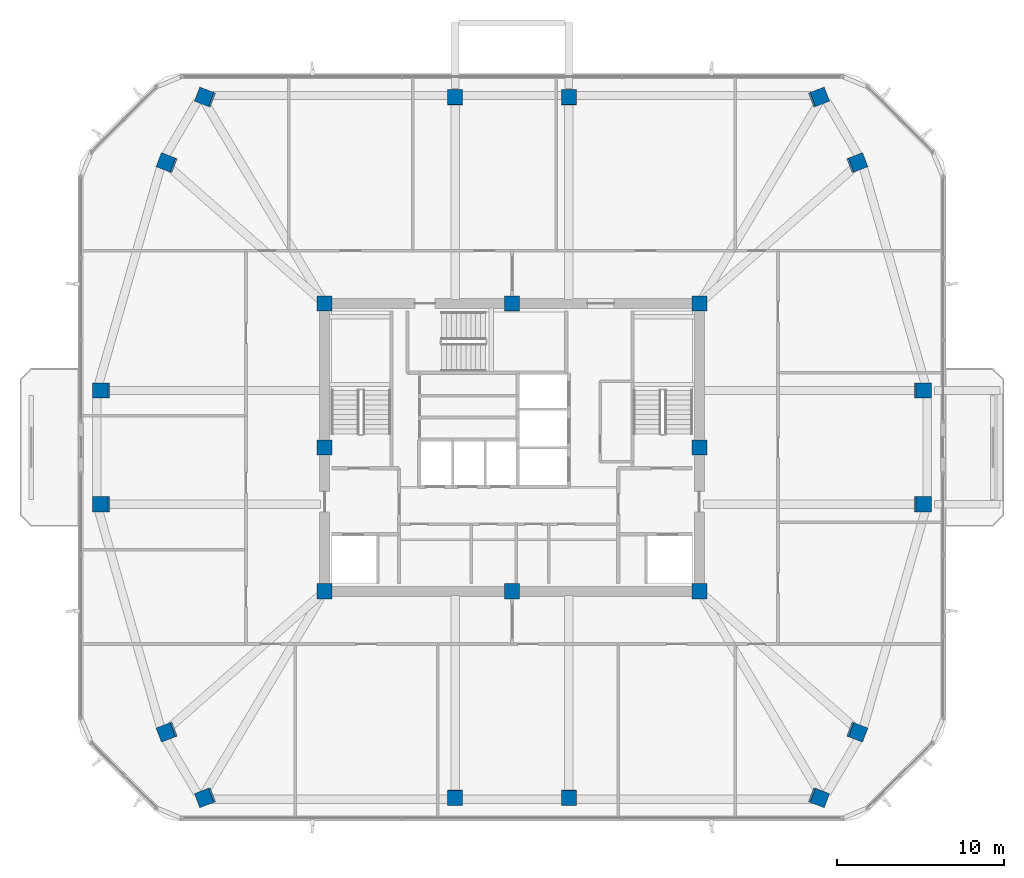
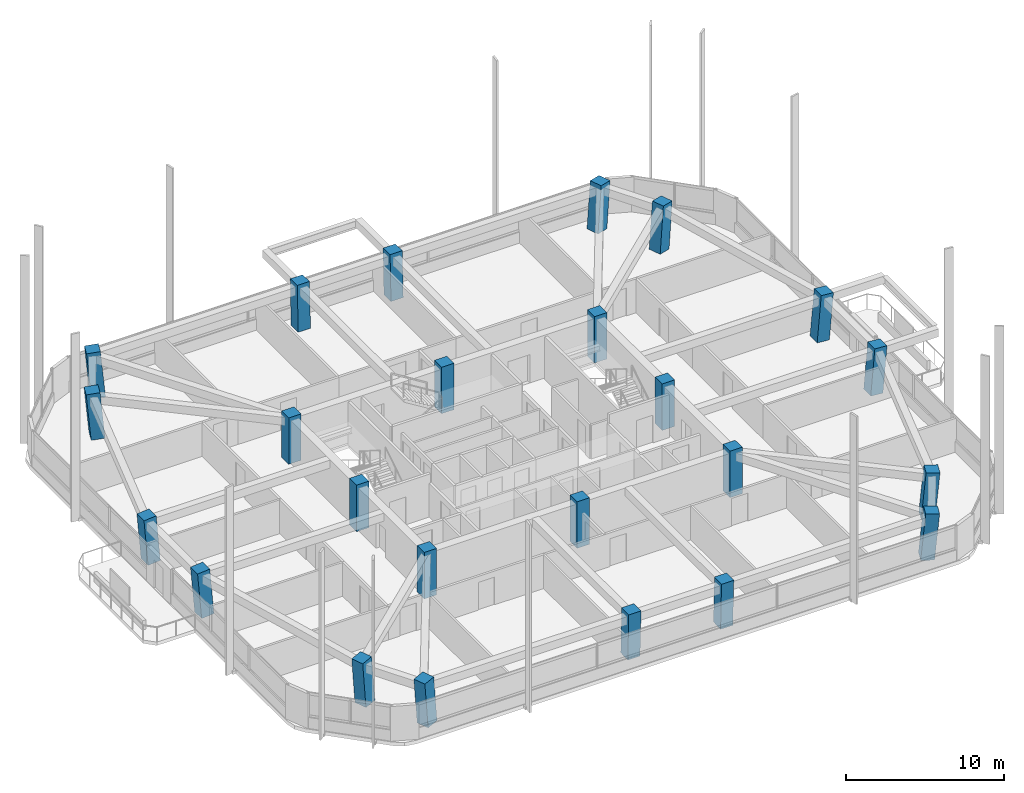
# One storey, part 1 of 17: 24 columns.
"""IFC4 building model written with IfcOpenShell, lengths in metres."""

from ifc_helpers import new_model, si_unit, derived_unit, direction, frame, origin, origin_2d, place, context, subcontext, project, spatial, rectangle, extrude, material, material_profile, profile_set, type_object, element, save


model = new_model("IFC4")

# Units and contexts
model_context = context("Model", 3, precision=1e-05, world=origin(), true_north=direction((0.0, 1.0)))
body_context = subcontext(model_context, "Body", "Model", "MODEL_VIEW")
ifc_project = project(units=[si_unit("LENGTHUNIT", "METRE"), si_unit("AREAUNIT", "SQUARE_METRE"), si_unit("VOLUMEUNIT", "CUBIC_METRE"), si_unit("PLANEANGLEUNIT", "RADIAN"), si_unit("MASSUNIT", "GRAM", prefix="KILO"), derived_unit("THERMALTRANSMITTANCEUNIT", [(si_unit("POWERUNIT", "WATT"), 1), (si_unit("LENGTHUNIT", "METRE"), -2), (si_unit("THERMODYNAMICTEMPERATUREUNIT", "KELVIN"), -1)])], contexts=[model_context])

# Site, building, storey
site_placement = place(None, origin())
site = spatial("IfcSite", under=ifc_project, at=site_placement, CompositionType="ELEMENT")
building_placement = place(site_placement, origin())
building = spatial("IfcBuilding", under=site, at=building_placement, Name="Koralith Skygarden Medical Center", CompositionType="ELEMENT")
storey_placement = place(building_placement, frame((0.0, 0.0, 207.179931640625)))
storey = spatial("IfcBuildingStorey", under=building, at=storey_placement, Name="L53", CompositionType="ELEMENT", Elevation=207.179931640625)

# Columns
ifc_material = material(Name="Concrete C55/67", Category="concrete")
ifc_material_profile_1 = material_profile(ifc_material, rectangle(XDim=0.89990234375, YDim=0.89990234375, at=origin_2d()), Name="RC900X900")
ifc_profile_set_1 = profile_set([ifc_material_profile_1], Name="Concrete C55/67")
column_type_1 = type_object("IfcColumnType", Name="Core Column C55 RC900", PredefinedType="COLUMN", material=ifc_profile_set_1)
for number, where, z_axis, x_axis, name in (
    (1, (25.800048828125, 17.300048828125, 0.0), (0.0, 0.0, 1.0), (1.0, 0.0, 0.0), "L53 Core Column CC-01"),
    (2, (37.0, 17.300048828125, 0.0), (0.0, 0.0, 1.0), (1.0, 0.0, 0.0), "L53 Core Column CC-02"),
    (3, (48.199951171875, 17.300048828125, 0.0), (0.0, 0.0, 1.0), (1.0, 0.0, 0.0), "L53 Core Column CC-03"),
    (4, (48.199951171875, 25.89990234375, 0.0), (0.0, 0.0, 1.0), (1.0, 0.0, 0.0), "L53 Core Column CC-04"),
    (5, (48.199951171875, 34.5, 0.0), (0.0, 0.0, 1.0), (1.0, 0.0, 0.0), "L53 Core Column CC-05"),
    (6, (37.0, 34.5, 0.0), (0.0, 0.0, 1.0), (1.0, 0.0, 0.0), "L53 Core Column CC-06"),
    (7, (25.800048828125, 34.5, 0.0), (0.0, 0.0, 1.0), (1.0, 0.0, 0.0), "L53 Core Column CC-07"),
    (8, (25.800048828125, 25.89990234375, 0.0), (0.0, 0.0, 1.0), (1.0, 0.0, 0.0), "L53 Core Column CC-08"),
):
    element("IfcColumn", number, at=place(storey_placement, frame(where, z_axis=z_axis, x_axis=x_axis)), inside=storey, type_object=column_type_1, Name=name, PredefinedType="COLUMN", context=body_context, shape_type="SweptSolid", body=[
        extrude(rectangle(XDim=0.89990234375, YDim=0.89990234375, at=origin_2d()), origin(), (0.0, 0.0, 1.0), 3.60009765625),
    ])
ifc_material_profile_2 = material_profile(ifc_material, rectangle(XDim=0.89990234375, YDim=0.89990234375, at=origin_2d()), Name="RC900X900")
ifc_profile_set_2 = profile_set([ifc_material_profile_2], Name="Concrete C55/67")
column_type_2 = type_object("IfcColumnType", Name="Zone 4 Flare Mega-Column C55 RC900", PredefinedType="COLUMN", material=ifc_profile_set_2)
column_1_placement = place(storey_placement, frame((12.487060546875, 22.5, 0.02099609375), z_axis=(-0.084573087246, 0.0, 0.99641727851), x_axis=(0.0, -1.0, 0.0)))
element("IfcColumn", 9, at=column_1_placement, inside=storey, type_object=column_type_2, Name="L53 Perimeter Mega-Column MC-01", PredefinedType="COLUMN", context=body_context, shape_type="SweptSolid", body=[
    extrude(rectangle(XDim=0.89990234375, YDim=0.89990234375, at=origin_2d()), origin(), (0.0, 0.0, 1.0), 3.57080078125),
])
for number, where, z_axis, x_axis, name in (
    (10, (16.407958984375, 8.903076171875, 0.02099609375), (-0.084799896141, -0.032457655654, 0.995869207378), (0.357465730512, -0.933926255927, 0.0), "L53 Perimeter Mega-Column MC-02"),
    (11, (18.698974609375, 4.98291015625, 0.02099609375), (-0.084528524595, -0.032458406776, 0.995892253389), (0.358473312771, -0.933539974522, 0.0), "L53 Perimeter Mega-Column MC-03"),
):
    element("IfcColumn", number, at=place(storey_placement, frame(where, z_axis=z_axis, x_axis=x_axis)), inside=storey, type_object=column_type_2, Name=name, PredefinedType="COLUMN", context=body_context, shape_type="SweptSolid", body=[
        extrude(rectangle(XDim=0.89990234375, YDim=0.89990234375, at=origin_2d()), origin(), (0.0, 0.0, 1.0), 3.57275390625),
    ])
for number, where, z_axis, x_axis, name in (
    (12, (33.60009765625, 4.98291015625, 0.02099609375), (0.0, -0.032574990718, 0.999469294166), (1.0, 0.0, 0.0), "L53 Perimeter Mega-Column MC-04"),
    (13, (40.39990234375, 4.98291015625, 0.02099609375), (0.0, -0.032574990718, 0.999469294166), (1.0, 0.0, 0.0), "L53 Perimeter Mega-Column MC-05"),
):
    element("IfcColumn", number, at=place(storey_placement, frame(where, z_axis=z_axis, x_axis=x_axis)), inside=storey, type_object=column_type_2, Name=name, PredefinedType="COLUMN", context=body_context, shape_type="SweptSolid", body=[
        extrude(rectangle(XDim=0.89990234375, YDim=0.89990234375, at=origin_2d()), origin(), (0.0, 0.0, 1.0), 3.56005859375),
    ])
for number, where, z_axis, x_axis, name in (
    (14, (55.301025390625, 4.98291015625, 0.02099609375), (0.084528524595, -0.032458406776, 0.995892253389), (0.358473312771, 0.933539974522, 0.0), "L53 Perimeter Mega-Column MC-06"),
    (15, (57.592041015625, 8.903076171875, 0.02099609375), (0.084799896141, -0.032457655654, 0.995869207378), (0.357465730512, 0.933926255927, 0.0), "L53 Perimeter Mega-Column MC-07"),
):
    element("IfcColumn", number, at=place(storey_placement, frame(where, z_axis=z_axis, x_axis=x_axis)), inside=storey, type_object=column_type_2, Name=name, PredefinedType="COLUMN", context=body_context, shape_type="SweptSolid", body=[
        extrude(rectangle(XDim=0.89990234375, YDim=0.89990234375, at=origin_2d()), origin(), (0.0, 0.0, 1.0), 3.57275390625),
    ])
for number, where, z_axis, x_axis, name in (
    (16, (61.512939453125, 22.5, 0.02099609375), (0.084573087246, 0.0, 0.99641727851), (0.0, 1.0, 0.0), "L53 Perimeter Mega-Column MC-08"),
    (17, (61.512939453125, 29.300048828125, 0.02099609375), (0.084573087246, 0.0, 0.99641727851), (0.0, 1.0, 0.0), "L53 Perimeter Mega-Column MC-09"),
):
    element("IfcColumn", number, at=place(storey_placement, frame(where, z_axis=z_axis, x_axis=x_axis)), inside=storey, type_object=column_type_2, Name=name, PredefinedType="COLUMN", context=body_context, shape_type="SweptSolid", body=[
        extrude(rectangle(XDim=0.89990234375, YDim=0.89990234375, at=origin_2d()), origin(), (0.0, 0.0, 1.0), 3.57080078125),
    ])
for number, where, z_axis, x_axis, name in (
    (18, (57.592041015625, 42.89697265625, 0.02099609375), (0.084799896141, 0.032457655654, 0.995869207378), (-0.357465730512, 0.933926255927, 0.0), "L53 Perimeter Mega-Column MC-10"),
    (19, (55.301025390625, 46.81689453125, 0.02099609375), (0.084528336914, 0.032526668044, 0.995890042186), (-0.359130747652, 0.933287258078, 0.0), "L53 Perimeter Mega-Column MC-11"),
):
    element("IfcColumn", number, at=place(storey_placement, frame(where, z_axis=z_axis, x_axis=x_axis)), inside=storey, type_object=column_type_2, Name=name, PredefinedType="COLUMN", context=body_context, shape_type="SweptSolid", body=[
        extrude(rectangle(XDim=0.89990234375, YDim=0.89990234375, at=origin_2d()), origin(), (0.0, 0.0, 1.0), 3.57275390625),
    ])
for number, where, z_axis, x_axis, name in (
    (20, (40.39990234375, 46.81689453125, 0.02099609375), (0.0, 0.032643496645, 0.99946705905), (-1.0, 0.0, 0.0), "L53 Perimeter Mega-Column MC-12"),
    (21, (33.60009765625, 46.81689453125, 0.02099609375), (0.0, 0.032643496645, 0.99946705905), (-1.0, 0.0, 0.0), "L53 Perimeter Mega-Column MC-13"),
):
    element("IfcColumn", number, at=place(storey_placement, frame(where, z_axis=z_axis, x_axis=x_axis)), inside=storey, type_object=column_type_2, Name=name, PredefinedType="COLUMN", context=body_context, shape_type="SweptSolid", body=[
        extrude(rectangle(XDim=0.89990234375, YDim=0.89990234375, at=origin_2d()), origin(), (0.0, 0.0, 1.0), 3.56005859375),
    ])
for number, where, z_axis, x_axis, name in (
    (22, (18.698974609375, 46.81689453125, 0.02099609375), (-0.084528336914, 0.032526668044, 0.995890042186), (-0.359130747652, -0.933287258078, 0.0), "L53 Perimeter Mega-Column MC-14"),
    (23, (16.407958984375, 42.89697265625, 0.02099609375), (-0.084799896141, 0.032457655654, 0.995869207378), (-0.357465730512, -0.933926255927, 0.0), "L53 Perimeter Mega-Column MC-15"),
):
    element("IfcColumn", number, at=place(storey_placement, frame(where, z_axis=z_axis, x_axis=x_axis)), inside=storey, type_object=column_type_2, Name=name, PredefinedType="COLUMN", context=body_context, shape_type="SweptSolid", body=[
        extrude(rectangle(XDim=0.89990234375, YDim=0.89990234375, at=origin_2d()), origin(), (0.0, 0.0, 1.0), 3.57275390625),
    ])
column_2_placement = place(storey_placement, frame((12.487060546875, 29.300048828125, 0.02099609375), z_axis=(-0.084573087246, 0.0, 0.99641727851), x_axis=(0.0, -1.0, 0.0)))
element("IfcColumn", 24, at=column_2_placement, inside=storey, type_object=column_type_2, Name="L53 Perimeter Mega-Column MC-16", PredefinedType="COLUMN", context=body_context, shape_type="SweptSolid", body=[
    extrude(rectangle(XDim=0.89990234375, YDim=0.89990234375, at=origin_2d()), origin(), (0.0, 0.0, 1.0), 3.57080078125),
])

save(model, "model.ifc")
